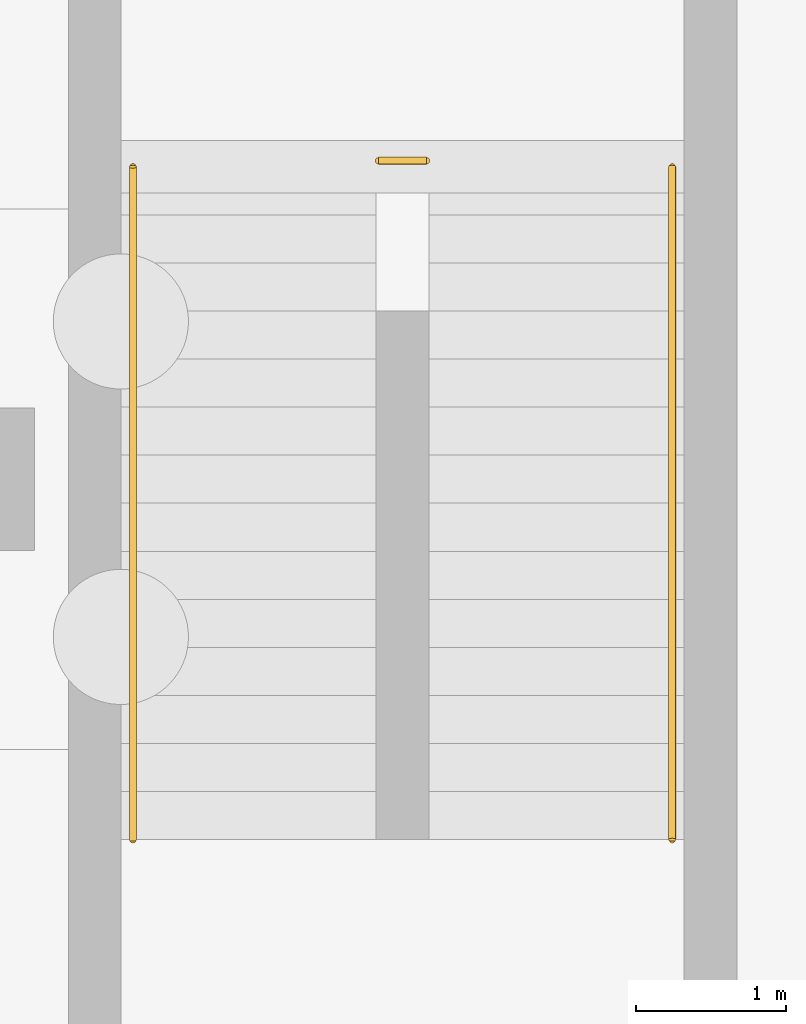
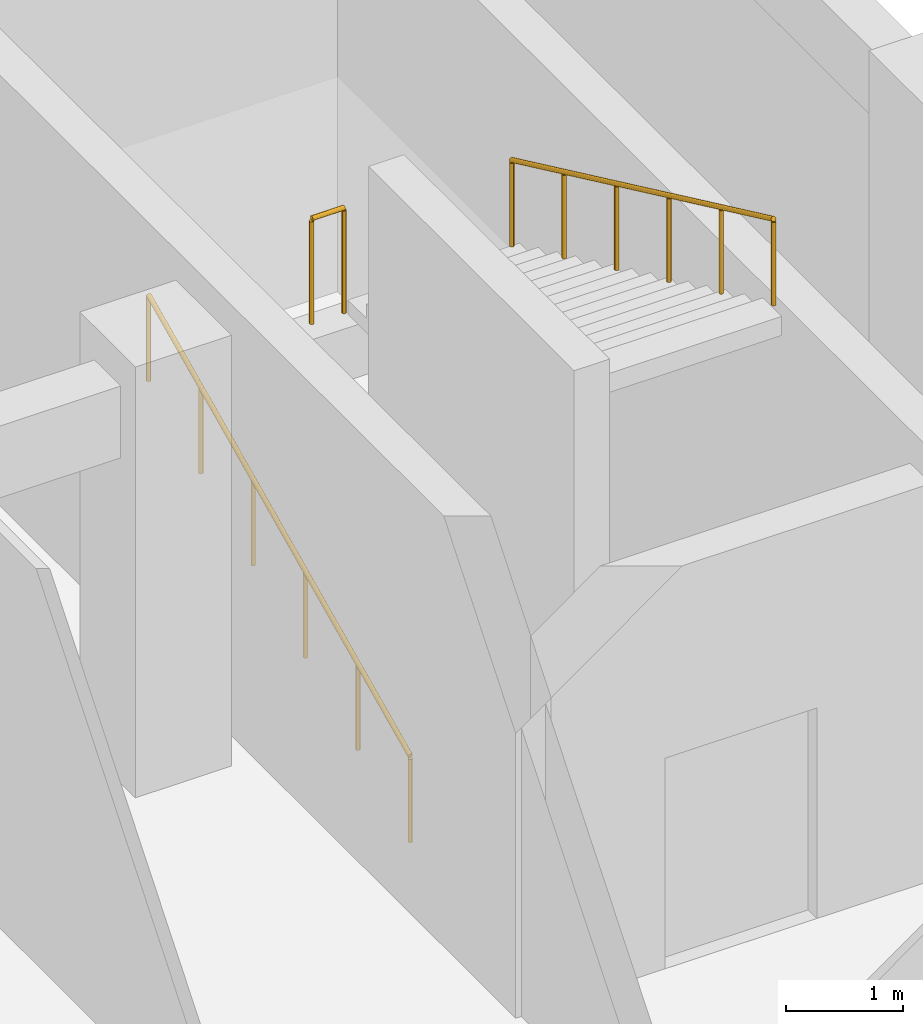
# One storey, part 29 of 30: 3 railings.
"""IFC4 building model written with IfcOpenShell, lengths in metres."""

from ifc_helpers import new_model, si_unit, direction, frame, origin, origin_2d, place, context, subcontext, project, spatial, circle, extrude, material, type_object, element, save


model = new_model("IFC4")

# Units and contexts
model_context = context("Model", 3, precision=1e-05, world=origin(), true_north=direction((0.0, 1.0)))
body_context = subcontext(model_context, "Body", "Model", "MODEL_VIEW")
ifc_project = project(units=[si_unit("LENGTHUNIT", "METRE"), si_unit("AREAUNIT", "SQUARE_METRE"), si_unit("VOLUMEUNIT", "CUBIC_METRE"), si_unit("PLANEANGLEUNIT", "RADIAN"), si_unit("MASSUNIT", "GRAM", prefix="KILO"), si_unit("THERMODYNAMICTEMPERATUREUNIT", "KELVIN"), si_unit("POWERUNIT", "WATT")], contexts=[model_context])

# Site, building, storey
site_placement = place(None, origin())
site = spatial("IfcSite", under=ifc_project, at=site_placement, CompositionType="ELEMENT")
building_placement = place(site_placement, origin())
building = spatial("IfcBuilding", under=site, at=building_placement, Name="Srebrne Nadtorze General Hospital", CompositionType="ELEMENT")
storey_placement = place(building_placement, frame((0.0, 0.0, -4.5)))
storey = spatial("IfcBuildingStorey", under=building, at=storey_placement, Name="B1", CompositionType="ELEMENT", Elevation=-4.5)

# Railings
ifc_material_1 = material(Name="Stainless Steel 316", Category="steel")
railing_type_1 = type_object("IfcRailingType", Name="Stairwell safety guard 1120", PredefinedType="BALUSTRADE", material=ifc_material_1)
railing_1_placement = place(storey_placement, frame((143.1650390625, 77.719970703125, 2.25)))
element("IfcRailing", 1, at=railing_1_placement, inside=storey, type_object=railing_type_1, Name="Half landing well guard ST-04-B1", PredefinedType="BALUSTRADE", context=body_context, shape_type="SweptSolid", body=[
    extrude(circle(Radius=0.02392578125, at=origin_2d()), frame((0.0, 0.0, 1.09619140625), z_axis=(1.0, 0.0, 0.0), x_axis=(0.0, 1.0, 0.0)), (0.0, 0.0, 1.0), 0.320068359375),
    extrude(circle(Radius=0.02099609375, at=origin_2d()), origin(), (0.0, 0.0, 1.0), 1.072021484375),
    extrude(circle(Radius=0.02099609375, at=origin_2d()), frame((0.320068359375, 0.0, 0.0)), (0.0, 0.0, 1.0), 1.072021484375),
])
ifc_material_2 = material(Name="Stainless Steel 316", Category="steel")
railing_type_2 = type_object("IfcRailingType", Name="Tubular stainless handrail 920", PredefinedType="HANDRAIL", material=ifc_material_2)
railing_2_placement = place(storey_placement, frame((141.530029296875, 73.199951171875, 0.14990234375)))
element("IfcRailing", 2, at=railing_2_placement, inside=storey, type_object=railing_type_2, Name="Stair flight handrail ST-04-B1 F1", PredefinedType="HANDRAIL", context=body_context, shape_type="SweptSolid", body=[
    extrude(circle(Radius=0.02392578125, at=origin_2d()), frame((0.0, 0.0, 0.89599609375), z_axis=(0.0, 0.905450639465, 0.424451574969), x_axis=(-1.0, 0.0, 0.0)), (0.0, 0.0, 1.0), 4.94775390625),
    extrude(circle(Radius=0.02099609375, at=origin_2d()), origin(), (0.0, 0.0, 1.0), 0.871826171875),
    extrude(circle(Radius=0.02099609375, at=origin_2d()), frame((0.0, 0.89599609375, 0.419921875)), (0.0, 0.0, 1.0), 0.871826171875),
    extrude(circle(Radius=0.02099609375, at=origin_2d()), frame((0.0, 1.7919921875, 0.840087890625)), (0.0, 0.0, 1.0), 0.871826171875),
    extrude(circle(Radius=0.02099609375, at=origin_2d()), frame((0.0, 2.68798828125, 1.260009765625)), (0.0, 0.0, 1.0), 0.871826171875),
    extrude(circle(Radius=0.02099609375, at=origin_2d()), frame((0.0, 3.583984375, 1.68017578125)), (0.0, 0.0, 1.0), 0.871826171875),
    extrude(circle(Radius=0.02099609375, at=origin_2d()), frame((0.0, 4.47998046875, 2.10009765625)), (0.0, 0.0, 1.0), 0.871826171875),
])
railing_3_placement = place(storey_placement, frame((145.1201171875, 77.679931640625, 2.39990234375)))
element("IfcRailing", 3, at=railing_3_placement, inside=storey, type_object=railing_type_2, Name="Stair flight handrail ST-04-B1 F2", PredefinedType="HANDRAIL", context=body_context, shape_type="SweptSolid", body=[
    extrude(circle(Radius=0.02392578125, at=origin_2d()), frame((0.0, 0.0, 0.89599609375), z_axis=(0.0, -0.905450639465, 0.424451574969), x_axis=(1.0, 0.0, 0.0)), (0.0, 0.0, 1.0), 4.94775390625),
    extrude(circle(Radius=0.02099609375, at=origin_2d()), origin(), (0.0, 0.0, 1.0), 0.871826171875),
    extrude(circle(Radius=0.02099609375, at=origin_2d()), frame((0.0, -0.89599609375, 0.419921875)), (0.0, 0.0, 1.0), 0.871826171875),
    extrude(circle(Radius=0.02099609375, at=origin_2d()), frame((0.0, -1.7919921875, 0.840087890625)), (0.0, 0.0, 1.0), 0.871826171875),
    extrude(circle(Radius=0.02099609375, at=origin_2d()), frame((0.0, -2.68798828125, 1.260009765625)), (0.0, 0.0, 1.0), 0.871826171875),
    extrude(circle(Radius=0.02099609375, at=origin_2d()), frame((0.0, -3.583984375, 1.68017578125)), (0.0, 0.0, 1.0), 0.871826171875),
    extrude(circle(Radius=0.02099609375, at=origin_2d()), frame((0.0, -4.47998046875, 2.10009765625)), (0.0, 0.0, 1.0), 0.871826171875),
])

save(model, "model.ifc")
